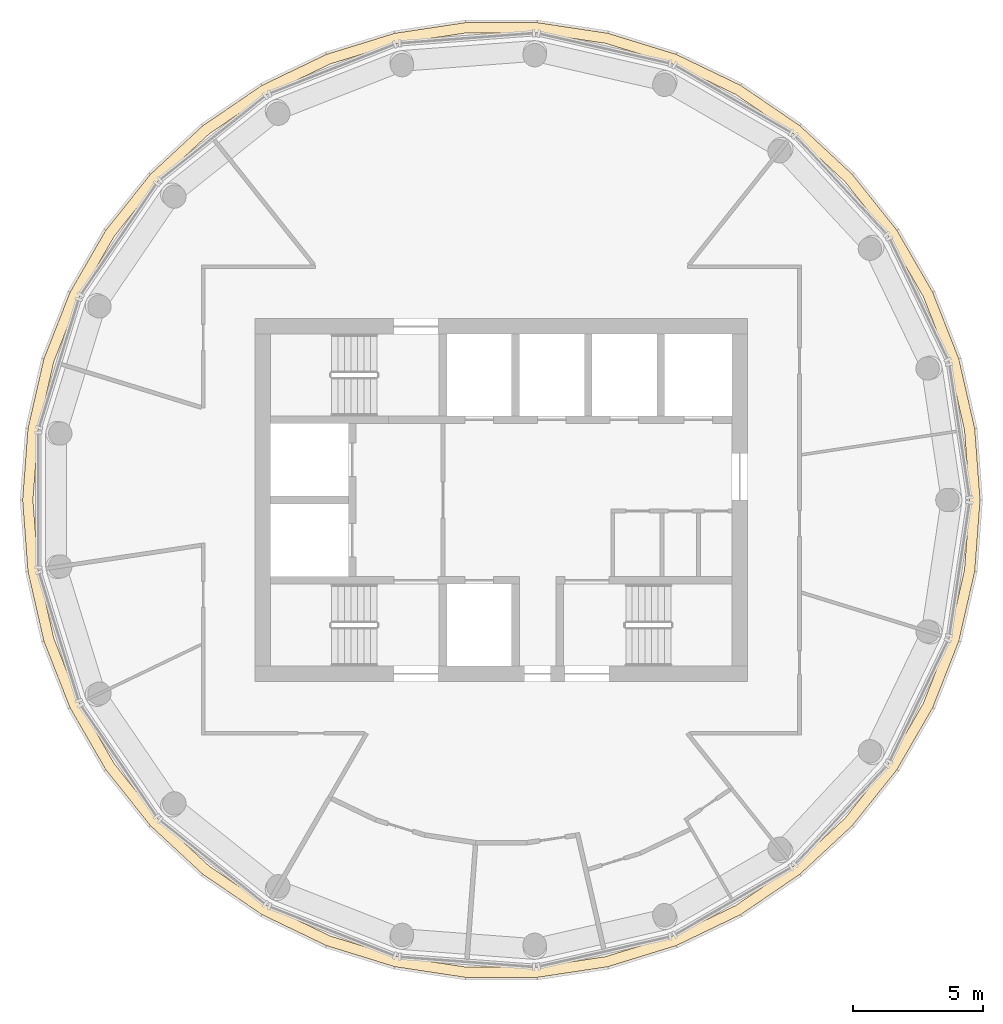
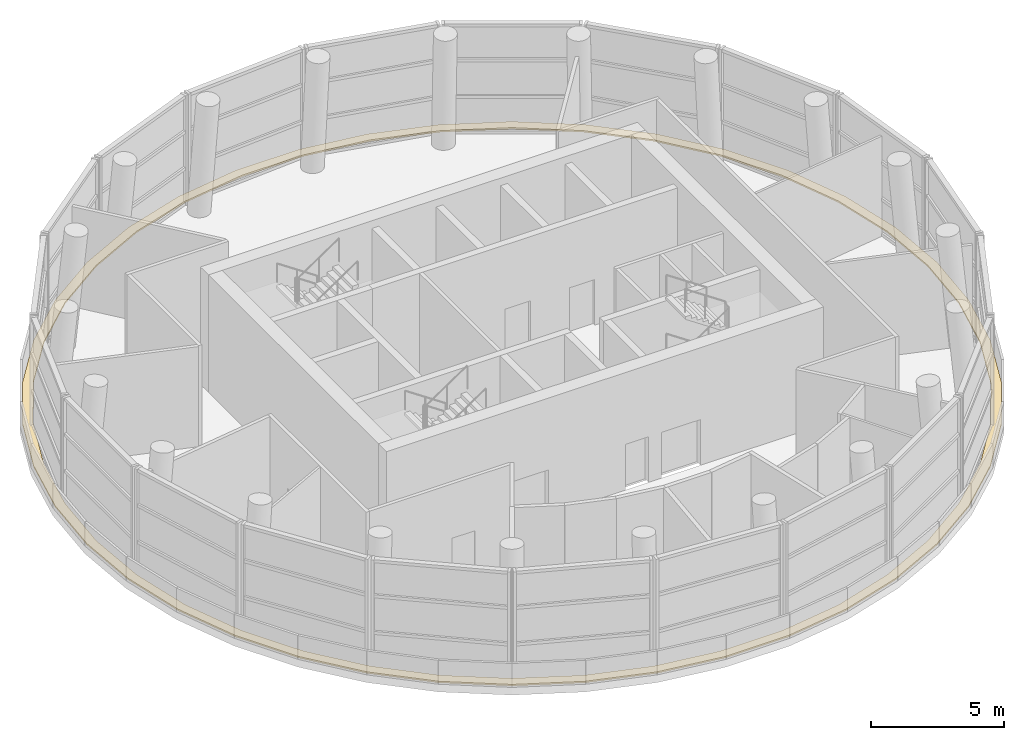
# One storey, part 11 of 11: 1 covering.
"""IFC4 building model written with IfcOpenShell, lengths in metres."""

from ifc_helpers import new_model, si_unit, direction, frame, origin, place, context, subcontext, project, spatial, polyline, outline, extrude, material, layer, layer_set, type_object, element, save


model = new_model("IFC4")

# Units and contexts
model_context = context("Model", 3, precision=1e-05, world=origin(), true_north=direction((0.0, 1.0)))
body_context = subcontext(model_context, "Body", "Model", "MODEL_VIEW")
ifc_project = project(units=[si_unit("LENGTHUNIT", "METRE"), si_unit("AREAUNIT", "SQUARE_METRE"), si_unit("VOLUMEUNIT", "CUBIC_METRE"), si_unit("PLANEANGLEUNIT", "RADIAN"), si_unit("MASSUNIT", "GRAM", prefix="KILO")], contexts=[model_context])

# Site, building, storey
site_placement = place(None, origin())
site = spatial("IfcSite", under=ifc_project, at=site_placement, CompositionType="ELEMENT")
building_placement = place(site_placement, origin())
building = spatial("IfcBuilding", under=site, at=building_placement, Name="Tracery Tower", CompositionType="ELEMENT")
storey_placement = place(building_placement, frame((0.0, 0.0, 346.800048828125)))
storey = spatial("IfcBuildingStorey", under=building, at=storey_placement, Name="L89", CompositionType="ELEMENT", Elevation=346.800048828125)

# Covering
ifc_material = material(Name="Roof membrane on insulation")
ifc_layer = layer(ifc_material, 0.070068359375)
ifc_layer_set = layer_set([ifc_layer], Name="Crown ledge roof membrane 70")
covering_type = type_object("IfcCoveringType", Name="Crown ledge roof membrane 70", PredefinedType="ROOFING", material=ifc_layer_set)
covering_placement = place(storey_placement, origin())
element("IfcCovering", 1, at=covering_placement, inside=storey, type_object=covering_type, Name="Ledge roof L89", PredefinedType="ROOFING", context=body_context, shape_type="SweptSolid", body=[
    extrude(outline(polyline([(18.471923828125, 0.0), (18.265625, 2.753173828125), (17.6513671875, 5.444580078125), (16.642578125, 8.0146484375), (15.26220703125, 10.405517578125), (13.541015625, 12.564208984375), (11.51708984375, 14.44189453125), (9.236083984375, 15.997314453125), (6.74853515625, 17.195068359375), (4.1103515625, 18.0087890625), (1.38037109375, 18.42041015625), (-1.38037109375, 18.42041015625), (-4.1103515625, 18.0087890625), (-6.74853515625, 17.195068359375), (-9.236083984375, 15.997314453125), (-11.51708984375, 14.44189453125), (-13.541015625, 12.564208984375), (-15.26220703125, 10.405517578125), (-16.642578125, 8.0146484375), (-17.6513671875, 5.444580078125), (-18.265625, 2.753173828125), (-18.471923828125, 0.0), (-18.265625, -2.753173828125), (-17.6513671875, -5.444580078125), (-16.642578125, -8.0146484375), (-15.26220703125, -10.405517578125), (-13.541015625, -12.564208984375), (-11.51708984375, -14.44189453125), (-9.236083984375, -15.997314453125), (-6.74853515625, -17.195068359375), (-4.1103515625, -18.0087890625), (-1.38037109375, -18.42041015625), (1.38037109375, -18.42041015625), (4.1103515625, -18.0087890625), (6.74853515625, -17.195068359375), (9.236083984375, -15.997314453125), (11.51708984375, -14.44189453125), (13.541015625, -12.564208984375), (15.26220703125, -10.405517578125), (16.642578125, -8.0146484375), (17.6513671875, -5.444580078125), (18.265625, -2.753173828125), (18.471923828125, 0.0)]), holes=[polyline([(18.072265625, 0.0), (17.870361328125, -2.693603515625), (17.269287109375, -5.326904296875), (16.282470703125, -7.84130859375), (14.931884765625, -10.180419921875), (13.247802734375, -12.292236328125), (11.267822265625, -14.12939453125), (9.0361328125, -15.65087890625), (6.6025390625, -16.822998046875), (4.021484375, -17.619140625), (1.3505859375, -18.021728515625), (-1.3505859375, -18.021728515625), (-4.021484375, -17.619140625), (-6.6025390625, -16.822998046875), (-9.0361328125, -15.65087890625), (-11.267822265625, -14.12939453125), (-13.247802734375, -12.292236328125), (-14.931884765625, -10.180419921875), (-16.282470703125, -7.84130859375), (-17.269287109375, -5.326904296875), (-17.870361328125, -2.693603515625), (-18.072265625, 0.0), (-17.870361328125, 2.693603515625), (-17.269287109375, 5.326904296875), (-16.282470703125, 7.84130859375), (-14.931884765625, 10.180419921875), (-13.247802734375, 12.292236328125), (-11.267822265625, 14.12939453125), (-9.0361328125, 15.65087890625), (-6.6025390625, 16.822998046875), (-4.021484375, 17.619140625), (-1.3505859375, 18.021728515625), (1.3505859375, 18.021728515625), (4.021484375, 17.619140625), (6.6025390625, 16.822998046875), (9.0361328125, 15.65087890625), (11.267822265625, 14.12939453125), (13.247802734375, 12.292236328125), (14.931884765625, 10.180419921875), (16.282470703125, 7.84130859375), (17.269287109375, 5.326904296875), (17.870361328125, 2.693603515625), (18.072265625, 0.0)])]), origin(), (0.0, 0.0, 1.0), 0.070068359375),
])

save(model, "model.ifc")
